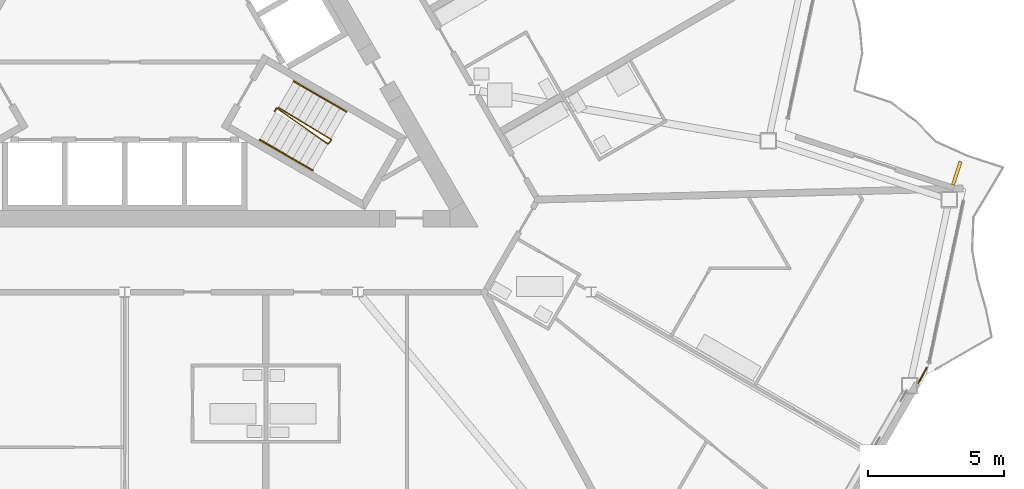
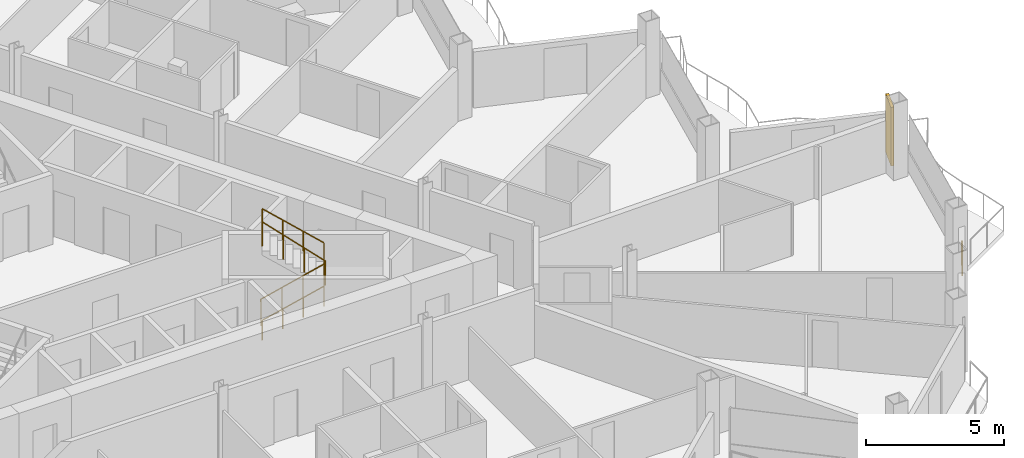
# One storey, part 24 of 28: 4 railings, 1 shading device.
"""IFC4 building model written with IfcOpenShell, lengths in metres."""

from ifc_helpers import new_model, si_unit, direction, frame, origin, origin_2d, place, context, subcontext, project, spatial, rectangle, circle, extrude, material, layer, layer_set, type_object, element, save


model = new_model("IFC4")

# Units and contexts
model_context = context("Model", 3, precision=1e-05, world=origin(), true_north=direction((0.0, 1.0)))
body_context = subcontext(model_context, "Body", "Model", "MODEL_VIEW")
ifc_project = project(units=[si_unit("LENGTHUNIT", "METRE"), si_unit("AREAUNIT", "SQUARE_METRE"), si_unit("VOLUMEUNIT", "CUBIC_METRE"), si_unit("PLANEANGLEUNIT", "RADIAN"), si_unit("MASSUNIT", "GRAM", prefix="KILO")], contexts=[model_context])

# Site, building, storey
site_placement = place(None, origin())
site = spatial("IfcSite", under=ifc_project, at=site_placement, CompositionType="ELEMENT")
building_placement = place(site_placement, origin())
building = spatial("IfcBuilding", under=site, at=building_placement, Name="Cormorant Prow Tower", CompositionType="ELEMENT")
storey_placement = place(building_placement, frame((0.0, 0.0, 308.60009765625)))
storey = spatial("IfcBuildingStorey", under=building, at=storey_placement, Name="L67", CompositionType="ELEMENT", Elevation=308.60009765625)

# Railings
ifc_material_1 = material(Name="Stainless steel", Category="steel")
railing_type_1 = type_object("IfcRailingType", Name="Facade corner guard 1100", PredefinedType="GUARDRAIL", material=ifc_material_1)
railing_1_placement = place(storey_placement, frame((29.5, -12.68505859375, 0.0)))
element("IfcRailing", 1, at=railing_1_placement, inside=storey, type_object=railing_type_1, Name="Facade corner guard L67 3", PredefinedType="GUARDRAIL", context=body_context, shape_type="SweptSolid", body=[
    extrude(circle(Radius=0.02392578125, at=origin_2d()), frame((0.0, 0.0, 1.076171875), z_axis=(-0.47945895364, -0.877564306347, 0.0), x_axis=(0.877564306347, -0.47945895364, 0.0)), (0.0, 0.0, 1.0), 0.648193359375),
    extrude(circle(Radius=0.02099609375, at=origin_2d()), origin(), (0.0, 0.0, 1.0), 1.052001953125),
    extrude(circle(Radius=0.02099609375, at=origin_2d()), frame((-0.310791015625, -0.56884765625, 0.0)), (0.0, 0.0, 1.0), 1.052001953125),
])
ifc_material_2 = material(Name="Stainless steel", Category="steel")
railing_type_2 = type_object("IfcRailingType", Name="Stair guard 1100", PredefinedType="GUARDRAIL", material=ifc_material_2)
railing_2_placement = place(storey_placement, frame((5.510009765625, -3.267822265625, 0.0)))
element("IfcRailing", 2, at=railing_2_placement, inside=storey, type_object=railing_type_2, Name="L67 ST2 stair guard 1", PredefinedType="GUARDRAIL", context=body_context, shape_type="SweptSolid", body=[
    extrude(circle(Radius=0.02392578125, at=origin_2d()), frame((0.0, 0.0, 1.076171875), z_axis=(0.501036270542, 0.865426285481, 0.0), x_axis=(-0.865426285481, 0.501036270542, 0.0)), (0.0, 0.0, 1.0), 0.150146484375),
    extrude(circle(Radius=0.02392578125, at=origin_2d()), frame((0.0751953125, 0.1298828125, 1.076171875), z_axis=(0.658670593711, -0.461060875852, 0.594622500196), x_axis=(0.573455215813, 0.819236910458, 0.0)), (0.0, 0.0, 1.0), 2.85888671875),
    extrude(circle(Radius=0.02392578125, at=origin_2d()), frame((1.958251953125, -1.188232421875, 2.77587890625), z_axis=(0.695164929852, 0.718850276695, 0.0), x_axis=(-0.718850276695, 0.695164929852, 0.0)), (0.0, 0.0, 1.0), 0.2060546875),
    extrude(circle(Radius=0.02392578125, at=origin_2d()), frame((2.1015625, -1.0400390625, 2.77587890625), z_axis=(-0.686515364547, 0.416565300991, 0.595961411712), x_axis=(-0.518752825935, -0.854924268918, 0.0)), (0.0, 0.0, 1.0), 2.8525390625),
    extrude(circle(Radius=0.02099609375, at=origin_2d()), origin(), (0.0, 0.0, 1.0), 1.052001953125),
    extrude(circle(Radius=0.02099609375, at=origin_2d()), frame((0.0751953125, 0.1298828125, 0.0)), (0.0, 0.0, 1.0), 1.052001953125),
    extrude(circle(Radius=0.02099609375, at=origin_2d()), frame((0.702880859375, -0.3095703125, 0.566650390625)), (0.0, 0.0, 1.0), 1.052001953125),
    extrude(circle(Radius=0.02099609375, at=origin_2d()), frame((1.33056640625, -0.748779296875, 1.13330078125)), (0.0, 0.0, 1.0), 1.052001953125),
    extrude(circle(Radius=0.02099609375, at=origin_2d()), frame((1.958251953125, -1.188232421875, 1.699951171875)), (0.0, 0.0, 1.0), 1.052001953125),
    extrude(circle(Radius=0.02099609375, at=origin_2d()), frame((2.1015625, -1.0400390625, 1.699951171875)), (0.0, 0.0, 1.0), 1.052001953125),
    extrude(circle(Radius=0.02099609375, at=origin_2d()), frame((1.44873046875, -0.64404296875, 2.2666015625)), (0.0, 0.0, 1.0), 1.052001953125),
    extrude(circle(Radius=0.02099609375, at=origin_2d()), frame((0.796142578125, -0.247802734375, 2.833251953125)), (0.0, 0.0, 1.0), 1.052001953125),
    extrude(circle(Radius=0.02099609375, at=origin_2d()), frame((0.143310546875, 0.148193359375, 3.39990234375)), (0.0, 0.0, 1.0), 1.052001953125),
])
ifc_material_3 = material(Name="Stainless steel", Category="steel")
railing_type_3 = type_object("IfcRailingType", Name="Stair handrail 900", PredefinedType="HANDRAIL", material=ifc_material_3)
railing_3_placement = place(storey_placement, frame((4.968994140625, -4.30517578125, 0.188720703125)))
element("IfcRailing", 3, at=railing_3_placement, inside=storey, type_object=railing_type_3, Name="L67 ST2 stair handrail 1", PredefinedType="HANDRAIL", context=body_context, shape_type="SweptSolid", body=[
    extrude(circle(Radius=0.02392578125, at=origin_2d()), frame((0.0, 0.0, 0.8759765625), z_axis=(0.717869644322, -0.414548260308, 0.559296802813), x_axis=(0.500077830873, 0.865980463445, 0.0)), (0.0, 0.0, 1.0), 2.701904296875),
    extrude(circle(Radius=0.02099609375, at=origin_2d()), origin(), (0.0, 0.0, 1.0), 0.851806640625),
    extrude(circle(Radius=0.02099609375, at=origin_2d()), frame((0.646484375, -0.373291015625, 0.503662109375)), (0.0, 0.0, 1.0), 0.851806640625),
    extrude(circle(Radius=0.02099609375, at=origin_2d()), frame((1.293212890625, -0.746826171875, 1.007568359375)), (0.0, 0.0, 1.0), 0.851806640625),
    extrude(circle(Radius=0.02099609375, at=origin_2d()), frame((1.939697265625, -1.1201171875, 1.51123046875)), (0.0, 0.0, 1.0), 0.851806640625),
])
railing_4_placement = place(storey_placement, frame((8.15283203125, -3.2705078125, 1.888671875)))
element("IfcRailing", 4, at=railing_4_placement, inside=storey, type_object=railing_type_3, Name="L67 ST2 stair handrail 2", PredefinedType="HANDRAIL", context=body_context, shape_type="SweptSolid", body=[
    extrude(circle(Radius=0.02392578125, at=origin_2d()), frame((0.0, 0.0, 0.8759765625), z_axis=(-0.717940317343, 0.414446543626, 0.55928147047), x_axis=(-0.49994888933, -0.866054910533, 0.0)), (0.0, 0.0, 1.0), 2.7021484375),
    extrude(circle(Radius=0.02099609375, at=origin_2d()), origin(), (0.0, 0.0, 1.0), 0.851806640625),
    extrude(circle(Radius=0.02099609375, at=origin_2d()), frame((-0.646728515625, 0.373291015625, 0.503662109375)), (0.0, 0.0, 1.0), 0.851806640625),
    extrude(circle(Radius=0.02099609375, at=origin_2d()), frame((-1.293212890625, 0.74658203125, 1.007568359375)), (0.0, 0.0, 1.0), 0.851806640625),
    extrude(circle(Radius=0.02099609375, at=origin_2d()), frame((-1.93994140625, 1.119873046875, 1.51123046875)), (0.0, 0.0, 1.0), 0.851806640625),
])

# Shading device
ifc_material_4 = material(Name="Terracotta", Category="masonry")
ifc_layer = layer(ifc_material_4, 0.1201171875)
ifc_layer_set = layer_set([ifc_layer], Name="Terracotta")
shading_device_type = type_object("IfcShadingDeviceType", Name="Terracotta baguette fin 120x900x2600", PredefinedType="USERDEFINED", material=ifc_layer_set)
shading_device_placement = place(storey_placement, frame((30.600830078125, -5.536865234375, -0.000244140625), z_axis=(0.0, 0.0, 1.0), x_axis=(-0.951056557274, 0.309016868255, 0.0)))
element("IfcShadingDevice", 5, at=shading_device_placement, inside=storey, type_object=shading_device_type, Name="Baguette fin ENE01", ObjectType="BAGUETTE", PredefinedType="USERDEFINED", context=body_context, shape_type="SweptSolid", body=[
    extrude(rectangle(XDim=0.1201171875, YDim=0.89990234375, at=origin_2d()), origin(), (0.0, 0.0, 1.0), 2.60009765625),
])

save(model, "model.ifc")
